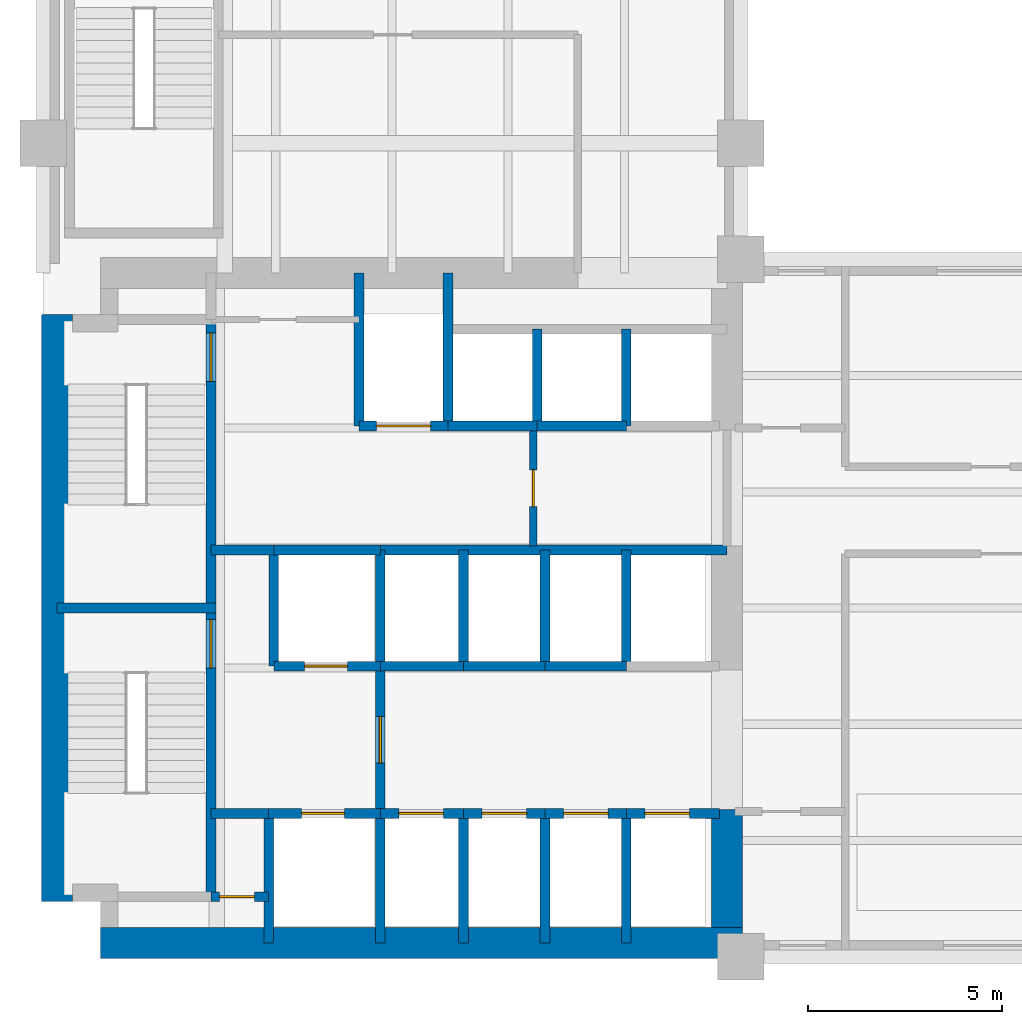
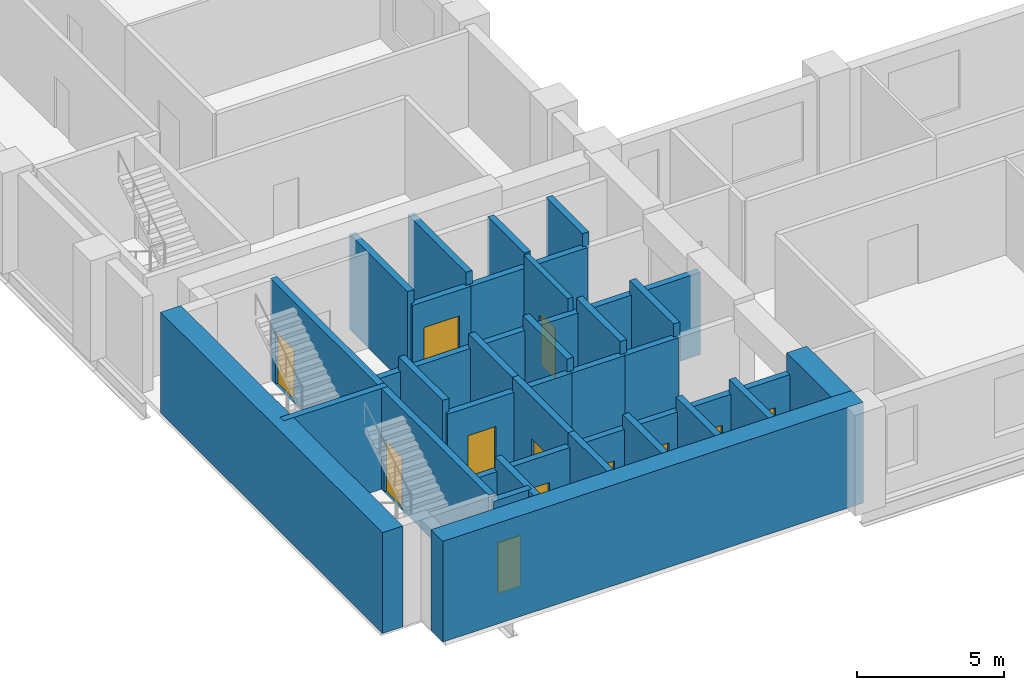
# One storey, part 3 of 7: 39 walls, 12 doors, 12 openings.
"""IFC4 building model written with IfcOpenShell, lengths in metres."""

import ifcopenshell
import ifcopenshell.guid

model = None  # the IFC model being written
_history = None  # IfcOwnerHistory: only IFC2X3 demands one
_inside = {}  # id of a spatial element -> (the spatial element, [elements in it])
_under = {}  # id of a project, library or spatial element -> (it, [spatial elements below it])
_declared = {}  # id of a project -> (the project, [libraries it declares])
_typed = {}  # id of a type object -> (the type object, [elements of that type])
_made_of = {}  # id of a material, layer set ... -> (it, [elements and type objects made of it])


def new_model(schema):
    """Start an empty IFC model of exactly this schema.

    Asked for "IFC4X3", IfcOpenShell would pick the latest addendum, in which some entities
    have other attributes; the version numbers below select the first issue.
    IFC2X3 requires an IfcOwnerHistory on every rooted entity: one is made here for all.
    """
    global model, _history
    if schema == "IFC4X3":
        model = ifcopenshell.file(schema_version=(4, 3, 0, 0))
    else:
        model = ifcopenshell.file(schema=schema)
    _inside.clear()
    _under.clear()
    _declared.clear()
    _typed.clear()
    _made_of.clear()
    _history = None
    if model.schema == "IFC2X3":
        org = make("IfcOrganization", Name="unknown")
        user = make(
            "IfcPersonAndOrganization",
            ThePerson=make("IfcPerson", FamilyName="unknown"),
            TheOrganization=org,
        )
        app = make(
            "IfcApplication",
            ApplicationDeveloper=org,
            Version="unknown",
            ApplicationFullName="unknown",
            ApplicationIdentifier="unknown",
        )
        _history = make(
            "IfcOwnerHistory",
            OwningUser=user,
            OwningApplication=app,
            ChangeAction="ADDED",
            CreationDate=0,
        )
    return model


def make(cls, **values):
    """One entity of the class cls with the attributes given. An attribute that is None is left unset."""
    return model.create_entity(
        cls, **{name: value for name, value in values.items() if value is not None}
    )


def rooted(cls, **values):
    """An entity with a GlobalId (a new one), such as an element, a storey or a relation."""
    return make(cls, GlobalId=ifcopenshell.guid.new(), OwnerHistory=_history, **values)


def si_unit(unit_type, name, prefix=None):
    """IfcSIUnit, for example si_unit("LENGTHUNIT", "METRE", prefix="MILLI")."""
    return make("IfcSIUnit", UnitType=unit_type, Prefix=prefix, Name=name)


def assignment(units):
    """IfcUnitAssignment: the units of a project."""
    return None if units is None else make("IfcUnitAssignment", Units=units)


def point(xyz):
    """IfcCartesianPoint."""
    return None if xyz is None else make("IfcCartesianPoint", Coordinates=xyz)


def direction(xyz):
    """IfcDirection."""
    return None if xyz is None else make("IfcDirection", DirectionRatios=xyz)


def frame(location, z_axis=None, x_axis=None):
    """IfcAxis2Placement3D, a coordinate frame: its origin and axes. An axis left out is left unset."""
    return make(
        "IfcAxis2Placement3D",
        Location=point(location),
        Axis=direction(z_axis),
        RefDirection=direction(x_axis),
    )


def frame_2d(location, x_axis=None):
    """IfcAxis2Placement2D, a coordinate frame in the plane: its origin and x axis."""
    return make(
        "IfcAxis2Placement2D", Location=point(location), RefDirection=direction(x_axis)
    )


def origin():
    """The frame at (0, 0, 0) with its axes left unset."""
    return frame((0.0, 0.0, 0.0))


def place(relative_to, where):
    """IfcLocalPlacement: puts the frame where relative to a parent placement (None: the world)."""
    return make(
        "IfcLocalPlacement", PlacementRelTo=relative_to, RelativePlacement=where
    )


def context(
    kind, dimensions, precision=None, world=None, true_north=None, identifier=None
):
    """IfcGeometricRepresentationContext, for example the 3D "Model" context."""
    return make(
        "IfcGeometricRepresentationContext",
        ContextIdentifier=identifier,
        ContextType=kind,
        CoordinateSpaceDimension=dimensions,
        Precision=precision,
        WorldCoordinateSystem=world,
        TrueNorth=true_north,
    )


def subcontext(parent, identifier, kind, view, scale=None):
    """IfcGeometricRepresentationSubContext, for example "Body" below "Model"."""
    return make(
        "IfcGeometricRepresentationSubContext",
        ContextIdentifier=identifier,
        ContextType=kind,
        ParentContext=parent,
        TargetScale=scale,
        TargetView=view,
    )


def project(units=None, contexts=None):
    """IfcProject with its units and contexts."""
    return rooted(
        "IfcProject",
        Name="project",
        RepresentationContexts=contexts,
        UnitsInContext=assignment(units),
    )


def spatial(cls, under=None, at=None, **own):
    """A site, building, storey or space (cls), placed at a placement, below another one or the project."""
    s = rooted(cls, ObjectPlacement=at, **own)
    if under is not None:
        _under.setdefault(under.id(), (under, []))[1].append(s)
    return s


def profile(cls, at=None, kind="AREA", **sizes):
    """A parametric profile (cls). Its sizes go by their IFC names, for example OverallWidth=200.0."""
    return make(cls, ProfileType=kind, Position=at, **sizes)


def rectangle(**sizes):
    """IfcRectangleProfileDef."""
    return profile("IfcRectangleProfileDef", **sizes)


def extrude(swept, where, along, depth):
    """IfcExtrudedAreaSolid: the profile swept, set in the frame where, extruded along a direction by depth."""
    return make(
        "IfcExtrudedAreaSolid",
        SweptArea=swept,
        Position=where,
        ExtrudedDirection=direction(along),
        Depth=depth,
    )


def shape(context_of_items, identifier, shape_type, items):
    """IfcShapeRepresentation: the items that make up one representation, for example the "Body"."""
    return make(
        "IfcShapeRepresentation",
        ContextOfItems=context_of_items,
        RepresentationIdentifier=identifier,
        RepresentationType=shape_type,
        Items=items,
    )


def material(Name=None, Category=None):
    """IfcMaterial."""
    return make("IfcMaterial", Name=Name, Category=Category)


def layer(
    of_material, thickness, ventilated=None, Name=None, Category=None, Priority=None
):
    """IfcMaterialLayer: one layer of a wall or slab, of a material (None: an air gap)."""
    return make(
        "IfcMaterialLayer",
        Material=of_material,
        LayerThickness=thickness,
        IsVentilated=ventilated,
        Name=Name,
        Category=Category,
        Priority=Priority,
    )


def layer_set(layers, Name=None):
    """IfcMaterialLayerSet."""
    return make("IfcMaterialLayerSet", MaterialLayers=layers, LayerSetName=Name)


def made_of(thing, what):
    """Note that an element or type object is made of a material, layer set ...; save() writes the relation."""
    if what is not None:
        _made_of.setdefault(what.id(), (what, []))[1].append(thing)
    return thing


def type_object(cls, material=None, **own):
    """A type object (cls), such as IfcWallType, which elements share."""
    return made_of(rooted(cls, **own), material)


def element(
    cls,
    number,
    at=None,
    inside=None,
    cuts=None,
    type_object=None,
    material=None,
    context=None,
    identifier="Body",
    shape_type=None,
    held_by="IfcProductDefinitionShape",
    body=None,
    shapes=None,
    **own,
):
    """One element of the class cls, such as IfcWall. Its Tag is "e" and its number.

    at: its placement. inside: the storey or other place that contains it. cuts: it is an
    opening in that element (IfcRelVoidsElement). A single representation is given by context,
    identifier, shape_type and body (its items); several are given by shapes. held_by: the class
    of the entity that holds the representations. save() writes the other relations.
    """
    e = rooted(cls, Tag="e%d" % number, ObjectPlacement=at, **own)
    if body is not None:
        shapes = [shape(context, identifier, shape_type, body)]
    if shapes is not None:
        e.Representation = make(held_by, Representations=shapes)
    if inside is not None:
        _inside.setdefault(inside.id(), (inside, []))[1].append(e)
    if cuts is not None:
        rooted(
            "IfcRelVoidsElement", RelatingBuildingElement=cuts, RelatedOpeningElement=e
        )
    if type_object is not None:
        _typed.setdefault(type_object.id(), (type_object, []))[1].append(e)
    return made_of(e, material)


def fill(opening, filler):
    """IfcRelFillsElement: the door or window that sits in an opening."""
    return rooted(
        "IfcRelFillsElement",
        RelatingOpeningElement=opening,
        RelatedBuildingElement=filler,
    )


def aggregate(whole, parts):
    """IfcRelAggregates: a whole, such as a stair, and the parts it consists of."""
    return rooted("IfcRelAggregates", RelatingObject=whole, RelatedObjects=parts)


def save(model, path):
    """Write the relations noted so far, then the file.

    IfcRelAggregates (storeys below a building ...), IfcRelContainedInSpatialStructure (elements
    in a storey), IfcRelDefinesByType, IfcRelAssociatesMaterial and IfcRelDeclares: one each for
    every whole, place, type object, material and project.
    """
    for whole, parts in _under.values():
        aggregate(whole, parts)
    for where, things in _inside.values():
        rooted(
            "IfcRelContainedInSpatialStructure",
            RelatedElements=things,
            RelatingStructure=where,
        )
    for kind, things in _typed.values():
        rooted("IfcRelDefinesByType", RelatedObjects=things, RelatingType=kind)
    for what, things in _made_of.values():
        rooted("IfcRelAssociatesMaterial", RelatedObjects=things, RelatingMaterial=what)
    for by, libraries in _declared.values():
        rooted("IfcRelDeclares", RelatingContext=by, RelatedDefinitions=libraries)
    model.write(path)


model = new_model("IFC4")

# Units and contexts
model_context = context("Model", 3, precision=1e-05, world=origin(), true_north=direction((0.0, 1.0)))
body_context = subcontext(model_context, "Body", "Model", "MODEL_VIEW")
ifc_project = project(units=[si_unit("LENGTHUNIT", "METRE"), si_unit("AREAUNIT", "SQUARE_METRE"), si_unit("VOLUMEUNIT", "CUBIC_METRE"), si_unit("PLANEANGLEUNIT", "RADIAN"), si_unit("MASSUNIT", "GRAM", prefix="KILO")], contexts=[model_context])

# Site, building, storey
site_placement = place(None, origin())
site = spatial("IfcSite", under=ifc_project, at=site_placement, CompositionType="ELEMENT")
building_placement = place(site_placement, origin())
building = spatial("IfcBuilding", under=site, at=building_placement, Name="Mawjdan Bourse Tower", CompositionType="ELEMENT")
storey_placement = place(building_placement, frame((0.0, 0.0, 46.800048828125)))
storey = spatial("IfcBuildingStorey", under=building, at=storey_placement, Name="L10", CompositionType="ELEMENT", Elevation=46.800048828125)

# Wall, opening, door
ifc_material_1 = material(Name="Gypsum Fireboard Assembly")
ifc_layer_1 = layer(ifc_material_1, 0.199951171875)
ifc_layer_set_1 = layer_set([ifc_layer_1], Name="Gypsum Fireboard Assembly")
wall_type_1 = type_object("IfcWallType", Name="WL-CMP-200", PredefinedType="PARTITIONING", material=ifc_layer_set_1)
wall_1_placement = place(storey_placement, frame((18.64990234375, 13.60009765625, 0.0), z_axis=(0.0, 0.0, 1.0), x_axis=(0.0, 1.0, 0.0)))
wall_1 = element("IfcWall", 1, at=wall_1_placement, inside=storey, type_object=wall_type_1, Name="L10 Core Restroom West Wall", PredefinedType="PARTITIONING", context=body_context, shape_type="SweptSolid", body=[
    extrude(rectangle(XDim=3.0, YDim=0.199951171875, at=frame_2d((1.5, 0.0))), origin(), (0.0, 0.0, 1.0), 3.969970703125),
])
opening_1_placement = place(wall_1_placement, frame((1.02001953125, 0.0, 0.0)))
opening_1 = element("IfcOpeningElement", 2, at=opening_1_placement, cuts=wall_1, Name="Opening D-L10-14", PredefinedType="OPENING", context=body_context, shape_type="SweptSolid", body=[
    extrude(rectangle(XDim=0.949951171875, YDim=2.10009765625, at=frame_2d((0.47509765625, 1.050048828125))), frame((0.0, 0.10986328125, 0.0), z_axis=(0.0, -1.0, 0.0), x_axis=(1.0, 0.0, 0.0)), (0.0, 0.0, 1.0), 0.219970703125),
])
ifc_material_2 = material(Name="Moisture-Resistant Laminate Timber", Category="wood")
door_type_1 = type_object("IfcDoorType", Name="DR-WET-0950", OperationType="NOTDEFINED", PredefinedType="DOOR", material=ifc_material_2)
door_1_placement = place(opening_1_placement, origin())
door_1 = element("IfcDoor", 3, at=door_1_placement, inside=storey, type_object=door_type_1, Name="L10 Accessible WC Entry Door D-L10-14", OperationType="SINGLE_SWING_LEFT", OverallHeight=2.10009765625, OverallWidth=0.949951171875, PredefinedType="DOOR", context=body_context, shape_type="SweptSolid", body=[
    extrude(rectangle(XDim=0.949951171875, YDim=2.10009765625, at=frame_2d((0.47509765625, 1.050048828125))), frame((0.0, 0.02490234375, 0.0), z_axis=(0.0, -1.0, 0.0), x_axis=(1.0, 0.0, 0.0)), (0.0, 0.0, 1.0), 0.050048828125),
])
fill(opening_1, door_1)

# Walls
ifc_material_3 = material(Name="Concrete C80/95", Category="concrete")
ifc_layer_2 = layer(ifc_material_3, 0.800048828125)
ifc_layer_set_2 = layer_set([ifc_layer_2], Name="Concrete C80/95")
wall_type_2 = type_object("IfcWallType", Name="WL-CORE-800", PredefinedType="SHEAR", material=ifc_layer_set_2)
wall_2_placement = place(storey_placement, frame((7.47509765625, 3.35009765625, 0.0), z_axis=(0.0, 0.0, 1.0), x_axis=(1.0, 0.0, 0.0)))
element("IfcWall", 4, at=wall_2_placement, inside=storey, type_object=wall_type_2, Name="L10 Rear Core Shear Wall S", PredefinedType="SHEAR", context=body_context, shape_type="SweptSolid", body=[
    extrude(rectangle(XDim=16.574951171875, YDim=0.800048828125, at=frame_2d((8.28759765625, 0.0))), origin(), (0.0, 0.0, 1.0), 4.199951171875),
])
wall_3_placement = place(storey_placement, frame((6.35009765625, 4.425048828125, 0.0), z_axis=(0.0, 0.0, 1.0), x_axis=(0.0, 1.0, 0.0)))
element("IfcWall", 5, at=wall_3_placement, inside=storey, type_object=wall_type_2, Name="L10 Rear Core Shear Wall W", PredefinedType="SHEAR", context=body_context, shape_type="SweptSolid", body=[
    extrude(rectangle(XDim=15.14990234375, YDim=0.800048828125, at=frame_2d((7.574951171875, 0.0))), origin(), (0.0, 0.0, 1.0), 4.199951171875),
])
wall_4_placement = place(storey_placement, frame((23.64990234375, 3.75, 0.0), z_axis=(0.0, 0.0, 1.0), x_axis=(0.0, 1.0, 0.0)))
element("IfcWall", 6, at=wall_4_placement, inside=storey, type_object=wall_type_2, Name="L10 Rear Core Shear Wall E1", PredefinedType="SHEAR", context=body_context, shape_type="SweptSolid", body=[
    extrude(rectangle(XDim=3.050048828125, YDim=0.800048828125, at=frame_2d((1.52490234375, 0.0))), origin(), (0.0, 0.0, 1.0), 4.199951171875),
])

# Wall, opening, door
ifc_material_4 = material(Name="Concrete C50/60", Category="concrete")
ifc_layer_3 = layer(ifc_material_4, 0.25)
ifc_layer_set_3 = layer_set([ifc_layer_3], Name="Concrete C50/60")
wall_type_3 = type_object("IfcWallType", Name="WL-SHFT-250", PredefinedType="PARTITIONING", material=ifc_layer_set_3)
wall_5_placement = place(storey_placement, frame((10.330078125, 4.550048828125, 0.0), z_axis=(0.0, 0.0, 1.0), x_axis=(1.0, 0.0, 0.0)))
wall_5 = element("IfcWall", 7, at=wall_5_placement, inside=storey, type_object=wall_type_3, Name="L10 SW Riser North Wall", PredefinedType="PARTITIONING", context=body_context, shape_type="SweptSolid", body=[
    extrude(rectangle(XDim=1.489990234375, YDim=0.25, at=frame_2d((0.7451171875, 0.0))), origin(), (0.0, 0.0, 1.0), 3.969970703125),
])
opening_2_placement = place(wall_5_placement, frame((0.219970703125, 0.0, 0.0)))
opening_2 = element("IfcOpeningElement", 8, at=opening_2_placement, cuts=wall_5, Name="Opening RD-L10-03", PredefinedType="OPENING", context=body_context, shape_type="SweptSolid", body=[
    extrude(rectangle(XDim=0.89990234375, YDim=2.10009765625, at=frame_2d((0.449951171875, 1.050048828125))), frame((0.0, 0.135009765625, 0.0), z_axis=(0.0, -1.0, 0.0), x_axis=(1.0, 0.0, 0.0)), (0.0, 0.0, 1.0), 0.27001953125),
])
ifc_material_5 = material(Name="Fire-Rated Steel Access Leaf", Category="steel")
door_type_2 = type_object("IfcDoorType", Name="FD-RSR-0900", OperationType="NOTDEFINED", PredefinedType="TRAPDOOR", material=ifc_material_5)
door_2_placement = place(opening_2_placement, origin())
door_2 = element("IfcDoor", 9, at=door_2_placement, inside=storey, type_object=door_type_2, Name="L10 Electrical Riser Access Door RD-L10-03", OperationType="SINGLE_SWING_LEFT", OverallHeight=2.10009765625, OverallWidth=0.89990234375, PredefinedType="TRAPDOOR", context=body_context, shape_type="SweptSolid", body=[
    extrude(rectangle(XDim=0.89990234375, YDim=2.10009765625, at=frame_2d((0.449951171875, 1.050048828125))), frame((0.0, 0.02490234375, 0.0), z_axis=(0.0, -1.0, 0.0), x_axis=(1.0, 0.0, 0.0)), (0.0, 0.0, 1.0), 0.050048828125),
])
fill(opening_2, door_2)

# Wall
wall_6_placement = place(storey_placement, frame((11.820068359375, 3.35009765625, 0.0), z_axis=(0.0, 0.0, 1.0), x_axis=(0.0, 1.0, 0.0)))
element("IfcWall", 10, at=wall_6_placement, inside=storey, type_object=wall_type_3, Name="L10 SW Riser & FFL01 West Wall", PredefinedType="PARTITIONING", context=body_context, shape_type="SweptSolid", body=[
    extrude(rectangle(XDim=3.349853515625, YDim=0.25, at=frame_2d((1.6748046875, 0.0))), origin(), (0.0, 0.0, 1.0), 3.969970703125),
])

# Wall, opening, door
wall_7_placement = place(storey_placement, frame((11.820068359375, 6.699951171875, 0.0), z_axis=(0.0, 0.0, 1.0), x_axis=(1.0, 0.0, 0.0)))
wall_7 = element("IfcWall", 11, at=wall_7_placement, inside=storey, type_object=wall_type_3, Name="L10 FFL-01 Front Shaft Wall", PredefinedType="PARTITIONING", context=body_context, shape_type="SweptSolid", body=[
    extrude(rectangle(XDim=2.8798828125, YDim=0.25, at=frame_2d((1.43994140625, 0.0))), origin(), (0.0, 0.0, 1.0), 3.426025390625),
])
opening_3_placement = place(wall_7_placement, frame((0.85009765625, 0.0, 0.0)))
opening_3 = element("IfcOpeningElement", 12, at=opening_3_placement, cuts=wall_7, Name="Opening LD-L10-05", PredefinedType="OPENING", context=body_context, shape_type="SweptSolid", body=[
    extrude(rectangle(XDim=1.10009765625, YDim=2.25, at=frame_2d((0.550048828125, 1.125))), frame((0.0, 0.135009765625, 0.0), z_axis=(0.0, -1.0, 0.0), x_axis=(1.0, 0.0, 0.0)), (0.0, 0.0, 1.0), 0.27001953125),
])
ifc_material_6 = material(Name="Brushed Stainless Steel", Category="steel")
door_type_3 = type_object("IfcDoorType", Name="LD-FFL-1100", OperationType="DOUBLE_DOOR_SLIDING", PredefinedType="DOOR", material=ifc_material_6)
door_3_placement = place(opening_3_placement, origin())
door_3 = element("IfcDoor", 13, at=door_3_placement, inside=storey, type_object=door_type_3, Name="L10 Firefighting Lift FFL-01 Landing Door LD-L10-05", OperationType="DOUBLE_DOOR_SLIDING", OverallHeight=2.25, OverallWidth=1.10009765625, PredefinedType="DOOR", context=body_context, shape_type="SweptSolid", body=[
    extrude(rectangle(XDim=1.10009765625, YDim=2.25, at=frame_2d((0.550048828125, 1.125))), frame((0.0, 0.02490234375, 0.0), z_axis=(0.0, -1.0, 0.0), x_axis=(1.0, 0.0, 0.0)), (0.0, 0.0, 1.0), 0.050048828125),
])
fill(opening_3, door_3)

# Wall
wall_8_placement = place(storey_placement, frame((14.699951171875, 3.35009765625, 0.0), z_axis=(0.0, 0.0, 1.0), x_axis=(0.0, 1.0, 0.0)))
element("IfcWall", 14, at=wall_8_placement, inside=storey, type_object=wall_type_3, Name="L10 FFL-01 East Shaft Wall", PredefinedType="PARTITIONING", context=body_context, shape_type="SweptSolid", body=[
    extrude(rectangle(XDim=3.349853515625, YDim=0.25, at=frame_2d((1.6748046875, 0.0))), origin(), (0.0, 0.0, 1.0), 3.969970703125),
])

# Wall, opening, door
wall_9_placement = place(storey_placement, frame((11.949951171875, 10.5, 0.0), z_axis=(0.0, 0.0, 1.0), x_axis=(1.0, 0.0, 0.0)))
wall_9 = element("IfcWall", 15, at=wall_9_placement, inside=storey, type_object=wall_type_3, Name="L10 FFL-02 Front Shaft Wall", PredefinedType="PARTITIONING", context=body_context, shape_type="SweptSolid", body=[
    extrude(rectangle(XDim=2.75, YDim=0.25, at=frame_2d((1.375, 0.0))), origin(), (0.0, 0.0, 1.0), 3.426025390625),
])
opening_4_placement = place(wall_9_placement, frame((0.800048828125, 0.0, 0.0)))
opening_4 = element("IfcOpeningElement", 16, at=opening_4_placement, cuts=wall_9, Name="Opening LD-L10-06", PredefinedType="OPENING", context=body_context, shape_type="SweptSolid", body=[
    extrude(rectangle(XDim=1.10009765625, YDim=2.25, at=frame_2d((0.550048828125, 1.125))), frame((0.0, 0.135009765625, 0.0), z_axis=(0.0, -1.0, 0.0), x_axis=(1.0, 0.0, 0.0)), (0.0, 0.0, 1.0), 0.27001953125),
])
door_4_placement = place(opening_4_placement, origin())
door_4 = element("IfcDoor", 17, at=door_4_placement, inside=storey, type_object=door_type_3, Name="L10 Firefighting Lift FFL-02 Landing Door LD-L10-06", OperationType="DOUBLE_DOOR_SLIDING", OverallHeight=2.25, OverallWidth=1.10009765625, PredefinedType="DOOR", context=body_context, shape_type="SweptSolid", body=[
    extrude(rectangle(XDim=1.10009765625, YDim=2.25, at=frame_2d((0.550048828125, 1.125))), frame((0.0, 0.02490234375, 0.0), z_axis=(0.0, -1.0, 0.0), x_axis=(1.0, 0.0, 0.0)), (0.0, 0.0, 1.0), 0.050048828125),
])
fill(opening_4, door_4)

# Walls
wall_10_placement = place(storey_placement, frame((11.949951171875, 10.5, 0.0), z_axis=(0.0, 0.0, 1.0), x_axis=(0.0, 1.0, 0.0)))
element("IfcWall", 18, at=wall_10_placement, inside=storey, type_object=wall_type_3, Name="L10 FFL-02 West Shaft Wall", PredefinedType="PARTITIONING", context=body_context, shape_type="SweptSolid", body=[
    extrude(rectangle(XDim=3.0, YDim=0.25, at=frame_2d((1.5, 0.0))), origin(), (0.0, 0.0, 1.0), 3.969970703125),
])
wall_11_placement = place(storey_placement, frame((11.949951171875, 13.5, 0.0), z_axis=(0.0, 0.0, 1.0), x_axis=(1.0, 0.0, 0.0)))
element("IfcWall", 19, at=wall_11_placement, inside=storey, type_object=wall_type_3, Name="L10 FFL-02 North Shaft Wall", PredefinedType="PARTITIONING", context=body_context, shape_type="SweptSolid", body=[
    extrude(rectangle(XDim=2.75, YDim=0.25, at=frame_2d((1.375, 0.0))), origin(), (0.0, 0.0, 1.0), 3.426025390625),
])
wall_12_placement = place(storey_placement, frame((14.699951171875, 10.5, 0.0), z_axis=(0.0, 0.0, 1.0), x_axis=(0.0, 1.0, 0.0)))
element("IfcWall", 20, at=wall_12_placement, inside=storey, type_object=wall_type_3, Name="L10 FFL-02 East Shaft Wall", PredefinedType="PARTITIONING", context=body_context, shape_type="SweptSolid", body=[
    extrude(rectangle(XDim=3.0, YDim=0.25, at=frame_2d((1.5, 0.0))), origin(), (0.0, 0.0, 1.0), 3.969970703125),
])

# Wall, opening, door
wall_13_placement = place(storey_placement, frame((14.699951171875, 6.699951171875, 0.0), z_axis=(0.0, 0.0, 1.0), x_axis=(0.0, 1.0, 0.0)))
wall_13 = element("IfcWall", 21, at=wall_13_placement, inside=storey, type_object=wall_type_3, Name="L10 Firefighting Lobby East Compartment Wall", PredefinedType="PARTITIONING", context=body_context, shape_type="SweptSolid", body=[
    extrude(rectangle(XDim=3.800048828125, YDim=0.25, at=frame_2d((1.89990234375, 0.0))), origin(), (0.0, 0.0, 1.0), 3.969970703125),
])
opening_5_placement = place(wall_13_placement, frame((1.300048828125, 0.0, 0.0)))
opening_5 = element("IfcOpeningElement", 22, at=opening_5_placement, cuts=wall_13, Name="Opening FD-L10-07", PredefinedType="OPENING", context=body_context, shape_type="SweptSolid", body=[
    extrude(rectangle(XDim=1.199951171875, YDim=2.199951171875, at=frame_2d((0.60009765625, 1.10009765625))), frame((0.0, 0.135009765625, 0.0), z_axis=(0.0, -1.0, 0.0), x_axis=(1.0, 0.0, 0.0)), (0.0, 0.0, 1.0), 0.27001953125),
])
ifc_material_7 = material(Name="Fire-Rated Steel Leaf", Category="steel")
door_type_4 = type_object("IfcDoorType", Name="FD-FFL-1200", OperationType="NOTDEFINED", PredefinedType="DOOR", material=ifc_material_7)
door_5_placement = place(opening_5_placement, origin())
door_5 = element("IfcDoor", 23, at=door_5_placement, inside=storey, type_object=door_type_4, Name="L10 Firefighting Lobby East Smoke Door FD-L10-07", OperationType="SINGLE_SWING_LEFT", OverallHeight=2.199951171875, OverallWidth=1.199951171875, PredefinedType="DOOR", context=body_context, shape_type="SweptSolid", body=[
    extrude(rectangle(XDim=1.199951171875, YDim=2.199951171875, at=frame_2d((0.60009765625, 1.10009765625))), frame((0.0, 0.02490234375, 0.0), z_axis=(0.0, -1.0, 0.0), x_axis=(1.0, 0.0, 0.0)), (0.0, 0.0, 1.0), 0.050048828125),
])
fill(opening_5, door_5)

# Walls
wall_14_placement = place(storey_placement, frame((10.330078125, 13.5, 0.0), z_axis=(0.0, 0.0, 1.0), x_axis=(1.0, 0.0, 0.0)))
element("IfcWall", 24, at=wall_14_placement, inside=storey, type_object=wall_type_3, Name="L10 Firefighting Lobby North Compartment Wall", PredefinedType="PARTITIONING", context=body_context, shape_type="SweptSolid", body=[
    extrude(rectangle(XDim=1.619873046875, YDim=0.25, at=frame_2d((0.81005859375, 0.0))), origin(), (0.0, 0.0, 1.0), 3.426025390625),
])
wall_15_placement = place(storey_placement, frame((10.330078125, 6.699951171875, 0.0), z_axis=(0.0, 0.0, 1.0), x_axis=(1.0, 0.0, 0.0)))
element("IfcWall", 25, at=wall_15_placement, inside=storey, type_object=wall_type_3, Name="L10 Firefighting Lobby South Closure Wall", PredefinedType="PARTITIONING", context=body_context, shape_type="SweptSolid", body=[
    extrude(rectangle(XDim=1.489990234375, YDim=0.25, at=frame_2d((0.7451171875, 0.0))), origin(), (0.0, 0.0, 1.0), 3.426025390625),
])

# Wall, opening, door
wall_16_placement = place(storey_placement, frame((14.14990234375, 16.699951171875, 0.0), z_axis=(0.0, 0.0, 1.0), x_axis=(1.0, 0.0, 0.0)))
wall_16 = element("IfcWall", 26, at=wall_16_placement, inside=storey, type_object=wall_type_3, Name="L10 SVL-01 Front Shaft Wall", PredefinedType="PARTITIONING", context=body_context, shape_type="SweptSolid", body=[
    extrude(rectangle(XDim=2.300048828125, YDim=0.25, at=frame_2d((1.14990234375, 0.0))), origin(), (0.0, 0.0, 1.0), 3.426025390625),
])
opening_6_placement = place(wall_16_placement, frame((0.449951171875, 0.0, 0.0)))
opening_6 = element("IfcOpeningElement", 27, at=opening_6_placement, cuts=wall_16, Name="Opening LD-L10-09", PredefinedType="OPENING", context=body_context, shape_type="SweptSolid", body=[
    extrude(rectangle(XDim=1.39990234375, YDim=2.35009765625, at=frame_2d((0.699951171875, 1.175048828125))), frame((0.0, 0.135009765625, 0.0), z_axis=(0.0, -1.0, 0.0), x_axis=(1.0, 0.0, 0.0)), (0.0, 0.0, 1.0), 0.27001953125),
])
ifc_material_8 = material(Name="Heavy-Duty Stainless Steel", Category="steel")
door_type_5 = type_object("IfcDoorType", Name="LD-SRV-1400", OperationType="DOUBLE_DOOR_SLIDING", PredefinedType="DOOR", material=ifc_material_8)
door_6_placement = place(opening_6_placement, origin())
door_6 = element("IfcDoor", 28, at=door_6_placement, inside=storey, type_object=door_type_5, Name="L10 Service Lift SVL-01 Landing Door LD-L10-09", OperationType="DOUBLE_DOOR_SLIDING", OverallHeight=2.35009765625, OverallWidth=1.39990234375, PredefinedType="DOOR", context=body_context, shape_type="SweptSolid", body=[
    extrude(rectangle(XDim=1.39990234375, YDim=2.35009765625, at=frame_2d((0.699951171875, 1.175048828125))), frame((0.0, 0.02490234375, 0.0), z_axis=(0.0, -1.0, 0.0), x_axis=(1.0, 0.0, 0.0)), (0.0, 0.0, 1.0), 0.050048828125),
])
fill(opening_6, door_6)

# Walls
for number, where, z_axis, x_axis, name in (
    (29, (14.14990234375, 16.699951171875, 0.0), (0.0, 0.0, 1.0), (0.0, 1.0, 0.0), "L10 SVL-01 West Shaft Wall"),
    (30, (16.449951171875, 16.699951171875, 0.0), (0.0, 0.0, 1.0), (0.0, 1.0, 0.0), "L10 SVL-01 East Shaft Wall"),
):
    element("IfcWall", number, at=place(storey_placement, frame(where, z_axis=z_axis, x_axis=x_axis)), inside=storey, type_object=wall_type_3, Name=name, PredefinedType="PARTITIONING", context=body_context, shape_type="SweptSolid", body=[
        extrude(rectangle(XDim=3.949951171875, YDim=0.25, at=frame_2d((1.97509765625, 0.0))), origin(), (0.0, 0.0, 1.0), 3.969970703125),
    ])
wall_17_placement = place(storey_placement, frame((16.449951171875, 16.699951171875, 0.0), z_axis=(0.0, 0.0, 1.0), x_axis=(1.0, 0.0, 0.0)))
element("IfcWall", 31, at=wall_17_placement, inside=storey, type_object=wall_type_3, Name="L10 PH-01 Front Wall", PredefinedType="PARTITIONING", context=body_context, shape_type="SweptSolid", body=[
    extrude(rectangle(XDim=2.300048828125, YDim=0.25, at=frame_2d((1.14990234375, 0.0))), origin(), (0.0, 0.0, 1.0), 3.426025390625),
])
wall_18_placement = place(storey_placement, frame((18.75, 16.699951171875, 0.0), z_axis=(0.0, 0.0, 1.0), x_axis=(0.0, 1.0, 0.0)))
element("IfcWall", 32, at=wall_18_placement, inside=storey, type_object=wall_type_3, Name="L10 PH-01 Divider Wall", PredefinedType="PARTITIONING", context=body_context, shape_type="SweptSolid", body=[
    extrude(rectangle(XDim=2.5, YDim=0.25, at=frame_2d((1.25, 0.0))), origin(), (0.0, 0.0, 1.0), 3.969970703125),
])
wall_19_placement = place(storey_placement, frame((18.75, 16.699951171875, 0.0), z_axis=(0.0, 0.0, 1.0), x_axis=(1.0, 0.0, 0.0)))
element("IfcWall", 33, at=wall_19_placement, inside=storey, type_object=wall_type_3, Name="L10 PH-02 Front Wall", PredefinedType="PARTITIONING", context=body_context, shape_type="SweptSolid", body=[
    extrude(rectangle(XDim=2.300048828125, YDim=0.25, at=frame_2d((1.14990234375, 0.0))), origin(), (0.0, 0.0, 1.0), 3.426025390625),
])
wall_20_placement = place(storey_placement, frame((21.050048828125, 16.699951171875, 0.0), z_axis=(0.0, 0.0, 1.0), x_axis=(0.0, 1.0, 0.0)))
element("IfcWall", 34, at=wall_20_placement, inside=storey, type_object=wall_type_3, Name="L10 PH-02 Divider Wall", PredefinedType="PARTITIONING", context=body_context, shape_type="SweptSolid", body=[
    extrude(rectangle(XDim=2.5, YDim=0.25, at=frame_2d((1.25, 0.0))), origin(), (0.0, 0.0, 1.0), 3.969970703125),
])

# Wall, opening, door
wall_21_placement = place(storey_placement, frame((14.699951171875, 6.699951171875, 0.0), z_axis=(0.0, 0.0, 1.0), x_axis=(1.0, 0.0, 0.0)))
wall_21 = element("IfcWall", 35, at=wall_21_placement, inside=storey, type_object=wall_type_3, Name="L10 PL-04 Front Wall", PredefinedType="PARTITIONING", context=body_context, shape_type="SweptSolid", body=[
    extrude(rectangle(XDim=2.150146484375, YDim=0.25, at=frame_2d((1.0751953125, 0.0))), origin(), (0.0, 0.0, 1.0), 3.426025390625),
])
opening_7_placement = place(wall_21_placement, frame((0.47998046875, 0.0, 0.0)))
opening_7 = element("IfcOpeningElement", 36, at=opening_7_placement, cuts=wall_21, Name="Opening LD-L10-10", PredefinedType="OPENING", context=body_context, shape_type="SweptSolid", body=[
    extrude(rectangle(XDim=1.14990234375, YDim=2.25, at=frame_2d((0.574951171875, 1.125))), frame((0.0, 0.135009765625, 0.0), z_axis=(0.0, -1.0, 0.0), x_axis=(1.0, 0.0, 0.0)), (0.0, 0.0, 1.0), 0.27001953125),
])
door_type_6 = type_object("IfcDoorType", Name="LD-PAS-1150", OperationType="DOUBLE_DOOR_SLIDING", PredefinedType="DOOR", material=ifc_material_6)
door_7_placement = place(opening_7_placement, origin())
door_7 = element("IfcDoor", 37, at=door_7_placement, inside=storey, type_object=door_type_6, Name="L10 Lift PL-04 Landing Door LD-L10-10", OperationType="DOUBLE_DOOR_SLIDING", OverallHeight=2.25, OverallWidth=1.14990234375, PredefinedType="DOOR", context=body_context, shape_type="SweptSolid", body=[
    extrude(rectangle(XDim=1.14990234375, YDim=2.25, at=frame_2d((0.574951171875, 1.125))), frame((0.0, 0.02490234375, 0.0), z_axis=(0.0, -1.0, 0.0), x_axis=(1.0, 0.0, 0.0)), (0.0, 0.0, 1.0), 0.050048828125),
])
fill(opening_7, door_7)

# Wall
wall_22_placement = place(storey_placement, frame((16.85009765625, 3.35009765625, 0.0), z_axis=(0.0, 0.0, 1.0), x_axis=(0.0, 1.0, 0.0)))
element("IfcWall", 38, at=wall_22_placement, inside=storey, type_object=wall_type_3, Name="L10 PL-04 Divider Wall", PredefinedType="PARTITIONING", context=body_context, shape_type="SweptSolid", body=[
    extrude(rectangle(XDim=3.349853515625, YDim=0.25, at=frame_2d((1.6748046875, 0.0))), origin(), (0.0, 0.0, 1.0), 3.969970703125),
])

# Wall, opening, door
wall_23_placement = place(storey_placement, frame((16.85009765625, 6.699951171875, 0.0), z_axis=(0.0, 0.0, 1.0), x_axis=(1.0, 0.0, 0.0)))
wall_23 = element("IfcWall", 39, at=wall_23_placement, inside=storey, type_object=wall_type_3, Name="L10 PL-01 Front Wall", PredefinedType="PARTITIONING", context=body_context, shape_type="SweptSolid", body=[
    extrude(rectangle(XDim=2.099853515625, YDim=0.25, at=frame_2d((1.0498046875, 0.0))), origin(), (0.0, 0.0, 1.0), 3.426025390625),
])
opening_8_placement = place(wall_23_placement, frame((0.47998046875, 0.0, 0.0)))
opening_8 = element("IfcOpeningElement", 40, at=opening_8_placement, cuts=wall_23, Name="Opening LD-L10-11", PredefinedType="OPENING", context=body_context, shape_type="SweptSolid", body=[
    extrude(rectangle(XDim=1.14990234375, YDim=2.25, at=frame_2d((0.574951171875, 1.125))), frame((0.0, 0.135009765625, 0.0), z_axis=(0.0, -1.0, 0.0), x_axis=(1.0, 0.0, 0.0)), (0.0, 0.0, 1.0), 0.27001953125),
])
door_8_placement = place(opening_8_placement, origin())
door_8 = element("IfcDoor", 41, at=door_8_placement, inside=storey, type_object=door_type_6, Name="L10 Lift PL-01 Landing Door LD-L10-11", OperationType="DOUBLE_DOOR_SLIDING", OverallHeight=2.25, OverallWidth=1.14990234375, PredefinedType="DOOR", context=body_context, shape_type="SweptSolid", body=[
    extrude(rectangle(XDim=1.14990234375, YDim=2.25, at=frame_2d((0.574951171875, 1.125))), frame((0.0, 0.02490234375, 0.0), z_axis=(0.0, -1.0, 0.0), x_axis=(1.0, 0.0, 0.0)), (0.0, 0.0, 1.0), 0.050048828125),
])
fill(opening_8, door_8)

# Wall
wall_24_placement = place(storey_placement, frame((18.949951171875, 3.35009765625, 0.0), z_axis=(0.0, 0.0, 1.0), x_axis=(0.0, 1.0, 0.0)))
element("IfcWall", 42, at=wall_24_placement, inside=storey, type_object=wall_type_3, Name="L10 PL-01 Divider Wall", PredefinedType="PARTITIONING", context=body_context, shape_type="SweptSolid", body=[
    extrude(rectangle(XDim=3.349853515625, YDim=0.25, at=frame_2d((1.6748046875, 0.0))), origin(), (0.0, 0.0, 1.0), 3.969970703125),
])

# Wall, opening, door
wall_25_placement = place(storey_placement, frame((18.949951171875, 6.699951171875, 0.0), z_axis=(0.0, 0.0, 1.0), x_axis=(1.0, 0.0, 0.0)))
wall_25 = element("IfcWall", 43, at=wall_25_placement, inside=storey, type_object=wall_type_3, Name="L10 PL-02 Front Wall", PredefinedType="PARTITIONING", context=body_context, shape_type="SweptSolid", body=[
    extrude(rectangle(XDim=2.10009765625, YDim=0.25, at=frame_2d((1.050048828125, 0.0))), origin(), (0.0, 0.0, 1.0), 3.426025390625),
])
opening_9_placement = place(wall_25_placement, frame((0.47998046875, 0.0, 0.0)))
opening_9 = element("IfcOpeningElement", 44, at=opening_9_placement, cuts=wall_25, Name="Opening LD-L10-12", PredefinedType="OPENING", context=body_context, shape_type="SweptSolid", body=[
    extrude(rectangle(XDim=1.14990234375, YDim=2.25, at=frame_2d((0.574951171875, 1.125))), frame((0.0, 0.135009765625, 0.0), z_axis=(0.0, -1.0, 0.0), x_axis=(1.0, 0.0, 0.0)), (0.0, 0.0, 1.0), 0.27001953125),
])
door_9_placement = place(opening_9_placement, origin())
door_9 = element("IfcDoor", 45, at=door_9_placement, inside=storey, type_object=door_type_6, Name="L10 Lift PL-02 Landing Door LD-L10-12", OperationType="DOUBLE_DOOR_SLIDING", OverallHeight=2.25, OverallWidth=1.14990234375, PredefinedType="DOOR", context=body_context, shape_type="SweptSolid", body=[
    extrude(rectangle(XDim=1.14990234375, YDim=2.25, at=frame_2d((0.574951171875, 1.125))), frame((0.0, 0.02490234375, 0.0), z_axis=(0.0, -1.0, 0.0), x_axis=(1.0, 0.0, 0.0)), (0.0, 0.0, 1.0), 0.050048828125),
])
fill(opening_9, door_9)

# Wall
wall_26_placement = place(storey_placement, frame((21.050048828125, 3.35009765625, 0.0), z_axis=(0.0, 0.0, 1.0), x_axis=(0.0, 1.0, 0.0)))
element("IfcWall", 46, at=wall_26_placement, inside=storey, type_object=wall_type_3, Name="L10 PL-02 Divider Wall", PredefinedType="PARTITIONING", context=body_context, shape_type="SweptSolid", body=[
    extrude(rectangle(XDim=3.349853515625, YDim=0.25, at=frame_2d((1.6748046875, 0.0))), origin(), (0.0, 0.0, 1.0), 3.969970703125),
])

# Wall, opening, door
wall_27_placement = place(storey_placement, frame((21.050048828125, 6.699951171875, 0.0), z_axis=(0.0, 0.0, 1.0), x_axis=(1.0, 0.0, 0.0)))
wall_27 = element("IfcWall", 47, at=wall_27_placement, inside=storey, type_object=wall_type_3, Name="L10 PL-03 Front Wall", PredefinedType="PARTITIONING", context=body_context, shape_type="SweptSolid", body=[
    extrude(rectangle(XDim=2.39990234375, YDim=0.25, at=frame_2d((1.199951171875, 0.0))), origin(), (0.0, 0.0, 1.0), 3.426025390625),
])
opening_10_placement = place(wall_27_placement, frame((0.47998046875, 0.0, 0.0)))
opening_10 = element("IfcOpeningElement", 48, at=opening_10_placement, cuts=wall_27, Name="Opening LD-L10-13", PredefinedType="OPENING", context=body_context, shape_type="SweptSolid", body=[
    extrude(rectangle(XDim=1.14990234375, YDim=2.25, at=frame_2d((0.574951171875, 1.125))), frame((0.0, 0.135009765625, 0.0), z_axis=(0.0, -1.0, 0.0), x_axis=(1.0, 0.0, 0.0)), (0.0, 0.0, 1.0), 0.27001953125),
])
door_10_placement = place(opening_10_placement, origin())
door_10 = element("IfcDoor", 49, at=door_10_placement, inside=storey, type_object=door_type_6, Name="L10 Lift PL-03 Landing Door LD-L10-13", OperationType="DOUBLE_DOOR_SLIDING", OverallHeight=2.25, OverallWidth=1.14990234375, PredefinedType="DOOR", context=body_context, shape_type="SweptSolid", body=[
    extrude(rectangle(XDim=1.14990234375, YDim=2.25, at=frame_2d((0.574951171875, 1.125))), frame((0.0, 0.02490234375, 0.0), z_axis=(0.0, -1.0, 0.0), x_axis=(1.0, 0.0, 0.0)), (0.0, 0.0, 1.0), 0.050048828125),
])
fill(opening_10, door_10)

# Walls
wall_28_placement = place(storey_placement, frame((14.699951171875, 10.5, 0.0), z_axis=(0.0, 0.0, 1.0), x_axis=(1.0, 0.0, 0.0)))
element("IfcWall", 50, at=wall_28_placement, inside=storey, type_object=wall_type_3, Name="L10 PM-01 Front Wall", PredefinedType="PARTITIONING", context=body_context, shape_type="SweptSolid", body=[
    extrude(rectangle(XDim=2.150146484375, YDim=0.25, at=frame_2d((1.0751953125, 0.0))), origin(), (0.0, 0.0, 1.0), 3.426025390625),
])
wall_29_placement = place(storey_placement, frame((16.85009765625, 10.5, 0.0), z_axis=(0.0, 0.0, 1.0), x_axis=(0.0, 1.0, 0.0)))
element("IfcWall", 51, at=wall_29_placement, inside=storey, type_object=wall_type_3, Name="L10 PM-01 Divider Wall", PredefinedType="PARTITIONING", context=body_context, shape_type="SweptSolid", body=[
    extrude(rectangle(XDim=3.0, YDim=0.25, at=frame_2d((1.5, 0.0))), origin(), (0.0, 0.0, 1.0), 3.969970703125),
])
wall_30_placement = place(storey_placement, frame((16.85009765625, 10.5, 0.0), z_axis=(0.0, 0.0, 1.0), x_axis=(1.0, 0.0, 0.0)))
element("IfcWall", 52, at=wall_30_placement, inside=storey, type_object=wall_type_3, Name="L10 PM-02 Front Wall", PredefinedType="PARTITIONING", context=body_context, shape_type="SweptSolid", body=[
    extrude(rectangle(XDim=2.099853515625, YDim=0.25, at=frame_2d((1.0498046875, 0.0))), origin(), (0.0, 0.0, 1.0), 3.426025390625),
])
wall_31_placement = place(storey_placement, frame((18.949951171875, 10.5, 0.0), z_axis=(0.0, 0.0, 1.0), x_axis=(0.0, 1.0, 0.0)))
element("IfcWall", 53, at=wall_31_placement, inside=storey, type_object=wall_type_3, Name="L10 PM-02 Divider Wall", PredefinedType="PARTITIONING", context=body_context, shape_type="SweptSolid", body=[
    extrude(rectangle(XDim=3.0, YDim=0.25, at=frame_2d((1.5, 0.0))), origin(), (0.0, 0.0, 1.0), 3.969970703125),
])
wall_32_placement = place(storey_placement, frame((18.949951171875, 10.5, 0.0), z_axis=(0.0, 0.0, 1.0), x_axis=(1.0, 0.0, 0.0)))
element("IfcWall", 54, at=wall_32_placement, inside=storey, type_object=wall_type_3, Name="L10 PM-03 Front Wall", PredefinedType="PARTITIONING", context=body_context, shape_type="SweptSolid", body=[
    extrude(rectangle(XDim=2.10009765625, YDim=0.25, at=frame_2d((1.050048828125, 0.0))), origin(), (0.0, 0.0, 1.0), 3.426025390625),
])
wall_33_placement = place(storey_placement, frame((21.050048828125, 10.5, 0.0), z_axis=(0.0, 0.0, 1.0), x_axis=(0.0, 1.0, 0.0)))
element("IfcWall", 55, at=wall_33_placement, inside=storey, type_object=wall_type_3, Name="L10 PM-03 Divider Wall", PredefinedType="PARTITIONING", context=body_context, shape_type="SweptSolid", body=[
    extrude(rectangle(XDim=3.0, YDim=0.25, at=frame_2d((1.5, 0.0))), origin(), (0.0, 0.0, 1.0), 3.969970703125),
])
wall_34_placement = place(storey_placement, frame((14.699951171875, 13.5, 0.0), z_axis=(0.0, 0.0, 1.0), x_axis=(1.0, 0.0, 0.0)))
element("IfcWall", 56, at=wall_34_placement, inside=storey, type_object=wall_type_3, Name="L10 PM Bank North Shaft Back Wall", PredefinedType="PARTITIONING", context=body_context, shape_type="SweptSolid", body=[
    extrude(rectangle(XDim=8.949951171875, YDim=0.25, at=frame_2d((4.47509765625, 0.0))), origin(), (0.0, 0.0, 1.0), 3.426025390625),
])
ifc_layer_4 = layer(ifc_material_4, 0.25)
ifc_layer_set_4 = layer_set([ifc_layer_4], Name="Concrete C50/60")
wall_type_4 = type_object("IfcWallType", Name="WL-STRW-250", PredefinedType="SHEAR", material=ifc_layer_set_4)
wall_35_placement = place(storey_placement, frame((6.35009765625, 12.0, 0.0), z_axis=(0.0, 0.0, 1.0), x_axis=(1.0, 0.0, 0.0)))
element("IfcWall", 57, at=wall_35_placement, inside=storey, type_object=wall_type_4, Name="L10 Stairwell Dividing Shaft Wall", PredefinedType="SHEAR", context=body_context, shape_type="SweptSolid", body=[
    extrude(rectangle(XDim=4.10498046875, YDim=0.25, at=frame_2d((2.052490234375, 0.0))), origin(), (0.0, 0.0, 1.0), 4.199951171875),
])

# Wall, opening, door
wall_36_placement = place(storey_placement, frame((10.330078125, 4.550048828125, 0.0), z_axis=(0.0, 0.0, 1.0), x_axis=(0.0, 1.0, 0.0)))
wall_36 = element("IfcWall", 58, at=wall_36_placement, inside=storey, type_object=wall_type_4, Name="L10 Stairwell ST1 East Enclosure Wall", PredefinedType="SHEAR", context=body_context, shape_type="SweptSolid", body=[
    extrude(rectangle(XDim=7.449951171875, YDim=0.25, at=frame_2d((3.72509765625, 0.0))), origin(), (0.0, 0.0, 1.0), 4.199951171875),
])
opening_11_placement = place(wall_36_placement, frame((5.89990234375, 0.0, 0.0)))
opening_11 = element("IfcOpeningElement", 59, at=opening_11_placement, cuts=wall_36, Name="Opening SD-L10-01", PredefinedType="OPENING", context=body_context, shape_type="SweptSolid", body=[
    extrude(rectangle(XDim=1.25, YDim=2.199951171875, at=frame_2d((0.625, 1.10009765625))), frame((0.0, 0.135009765625, 0.0), z_axis=(0.0, -1.0, 0.0), x_axis=(1.0, 0.0, 0.0)), (0.0, 0.0, 1.0), 0.27001953125),
])
door_type_7 = type_object("IfcDoorType", Name="FD-ST-1250", OperationType="NOTDEFINED", PredefinedType="DOOR", material=ifc_material_7)
door_11_placement = place(opening_11_placement, origin())
door_11 = element("IfcDoor", 60, at=door_11_placement, inside=storey, type_object=door_type_7, Name="L10 Exit Stair ST1 Fire Door SD-L10-01", OperationType="SINGLE_SWING_LEFT", OverallHeight=2.199951171875, OverallWidth=1.25, PredefinedType="DOOR", context=body_context, shape_type="SweptSolid", body=[
    extrude(rectangle(XDim=1.25, YDim=2.199951171875, at=frame_2d((0.625, 1.10009765625))), frame((0.0, 0.02490234375, 0.0), z_axis=(0.0, -1.0, 0.0), x_axis=(1.0, 0.0, 0.0)), (0.0, 0.0, 1.0), 0.050048828125),
])
fill(opening_11, door_11)

wall_37_placement = place(storey_placement, frame((10.330078125, 12.0, 0.0), z_axis=(0.0, 0.0, 1.0), x_axis=(0.0, 1.0, 0.0)))
wall_37 = element("IfcWall", 61, at=wall_37_placement, inside=storey, type_object=wall_type_4, Name="L10 Stairwell ST2 East Enclosure Wall", PredefinedType="SHEAR", context=body_context, shape_type="SweptSolid", body=[
    extrude(rectangle(XDim=7.449951171875, YDim=0.25, at=frame_2d((3.72509765625, 0.0))), origin(), (0.0, 0.0, 1.0), 4.199951171875),
])
opening_12_placement = place(wall_37_placement, frame((5.85009765625, 0.0, 0.0)))
opening_12 = element("IfcOpeningElement", 62, at=opening_12_placement, cuts=wall_37, Name="Opening SD-L10-02", PredefinedType="OPENING", context=body_context, shape_type="SweptSolid", body=[
    extrude(rectangle(XDim=1.25, YDim=2.199951171875, at=frame_2d((0.625, 1.10009765625))), frame((0.0, 0.135009765625, 0.0), z_axis=(0.0, -1.0, 0.0), x_axis=(1.0, 0.0, 0.0)), (0.0, 0.0, 1.0), 0.27001953125),
])
door_12_placement = place(opening_12_placement, origin())
door_12 = element("IfcDoor", 63, at=door_12_placement, inside=storey, type_object=door_type_7, Name="L10 Exit Stair ST2 Fire Door SD-L10-02", OperationType="SINGLE_SWING_RIGHT", OverallHeight=2.199951171875, OverallWidth=1.25, PredefinedType="DOOR", context=body_context, shape_type="SweptSolid", body=[
    extrude(rectangle(XDim=1.25, YDim=2.199951171875, at=frame_2d((0.625, 1.10009765625))), frame((0.0, 0.02490234375, 0.0), z_axis=(0.0, -1.0, 0.0), x_axis=(1.0, 0.0, 0.0)), (0.0, 0.0, 1.0), 0.050048828125),
])
fill(opening_12, door_12)

save(model, "model.ifc")
